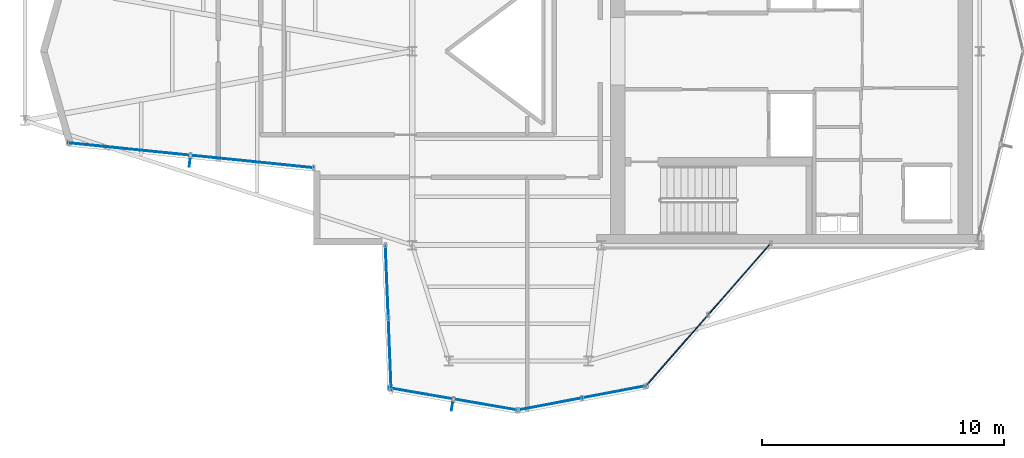
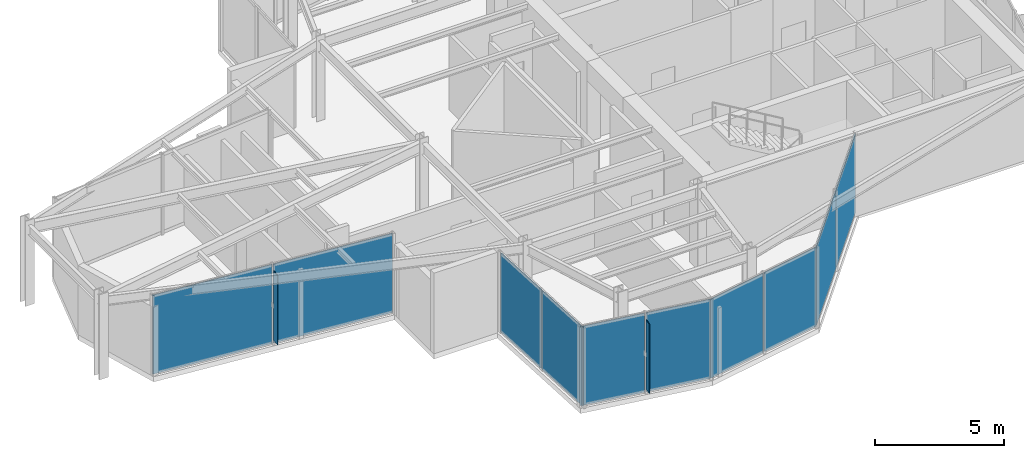
# One storey, part 9 of 14: 12 plates, 5 elements without a shape of their own.
"""IFC4 building model written with IfcOpenShell, lengths in metres."""

from ifc_helpers import new_model, si_unit, direction, frame, origin, origin_2d, place, context, subcontext, project, spatial, rectangle, extrude, material, layer, layer_set, type_object, element, aggregate, save


model = new_model("IFC4")

# Units and contexts
model_context = context("Model", 3, precision=1e-05, world=origin(), true_north=direction((0.0, 1.0)))
body_context = subcontext(model_context, "Body", "Model", "MODEL_VIEW")
ifc_project = project(units=[si_unit("LENGTHUNIT", "METRE"), si_unit("AREAUNIT", "SQUARE_METRE"), si_unit("VOLUMEUNIT", "CUBIC_METRE"), si_unit("PLANEANGLEUNIT", "RADIAN"), si_unit("MASSUNIT", "GRAM", prefix="KILO")], contexts=[model_context])

# Site, building, storey
site_placement = place(None, origin())
site = spatial("IfcSite", under=ifc_project, at=site_placement, CompositionType="ELEMENT")
building_placement = place(site_placement, origin())
building = spatial("IfcBuilding", under=site, at=building_placement, Name="Veymaron Broadcast Tower", CompositionType="ELEMENT")
storey_placement = place(building_placement, frame((0.0, 0.0, 270.89990234375)))
storey = spatial("IfcBuildingStorey", under=building, at=storey_placement, Name="L63", CompositionType="ELEMENT", Elevation=270.89990234375)

# Curtain wall, plates
ifc_material_1 = material(Name="Anodised aluminium AA 6063-T6 and laminated low-E dark glass", Category="aluminium")
ifc_layer_1 = layer(ifc_material_1, 0.179931640625)
ifc_layer_set_1 = layer_set([ifc_layer_1], Name="Anodised aluminium AA 6063-T6 and laminated low-E dark glass")
curtain_wall_type = type_object("IfcCurtainWallType", Name="CW-SYS-06", PredefinedType="NOTDEFINED", material=ifc_layer_set_1)
curtain_wall_1_placement = place(storey_placement, origin())
curtain_wall_1 = element("IfcCurtainWall", 1, at=curtain_wall_1_placement, inside=storey, type_object=curtain_wall_type, Name="L63 dark-glass curtain wall CW-L63-E14-1", PredefinedType="NOTDEFINED")
ifc_material_2 = material(Name="Insulated dark-anodised aluminium spandrel panel 40 mm", Category="aluminium")
ifc_layer_2 = layer(ifc_material_2, 0.0400390625)
ifc_layer_set_2 = layer_set([ifc_layer_2], Name="Insulated dark-anodised aluminium spandrel panel 40 mm")
plate_type_1 = type_object("IfcPlateType", Name="CW-PNL-03", PredefinedType="CURTAIN_PANEL", material=ifc_layer_set_2)
plate_1_placement = place(storey_placement, frame((19.5146484375, 19.96533203125, 0.0400390625), z_axis=(0.0, 0.0, 1.0), x_axis=(0.994870120783, -0.101160480293, 0.0)))
plate_1 = element("IfcPlate", 2, at=plate_1_placement, type_object=plate_type_1, Name="CW-L63-E14-1 unitised curtain panel 0", PredefinedType="CURTAIN_PANEL", context=body_context, shape_type="SweptSolid", body=[
    extrude(rectangle(XDim=5.047119140625, YDim=0.0400390625, at=origin_2d()), origin(), (0.0, 0.0, 1.0), 3.72998046875),
])
plate_2_placement = place(storey_placement, frame((24.595458984375, 19.44873046875, 0.0400390625), z_axis=(0.0, 0.0, 1.0), x_axis=(0.994870120783, -0.101160480293, 0.0)))
plate_2 = element("IfcPlate", 3, at=plate_2_placement, type_object=plate_type_1, Name="CW-L63-E14-1 unitised curtain panel 1", PredefinedType="CURTAIN_PANEL", context=body_context, shape_type="SweptSolid", body=[
    extrude(rectangle(XDim=5.047119140625, YDim=0.0400390625, at=origin_2d()), origin(), (0.0, 0.0, 1.0), 3.72998046875),
])
aggregate(curtain_wall_1, [plate_1, plate_2])

curtain_wall_2_placement = place(storey_placement, origin())
curtain_wall_2 = element("IfcCurtainWall", 4, at=curtain_wall_2_placement, inside=storey, type_object=curtain_wall_type, Name="L63 dark-glass curtain wall CW-L63-E17-1", PredefinedType="NOTDEFINED")
plate_3_placement = place(storey_placement, frame((30.15380859375, 14.500244140625, 0.0400390625), z_axis=(0.0, 0.0, 1.0), x_axis=(0.04004459622, -0.999197893469, 0.0)))
plate_3 = element("IfcPlate", 5, at=plate_3_placement, type_object=plate_type_1, Name="CW-L63-E17-1 unitised curtain panel 0", PredefinedType="CURTAIN_PANEL", context=body_context, shape_type="SweptSolid", body=[
    extrude(rectangle(XDim=2.952880859375, YDim=0.0400390625, at=origin_2d()), origin(), (0.0, 0.0, 1.0), 3.72998046875),
])
plate_4_placement = place(storey_placement, frame((30.274658203125, 11.48974609375, 0.0400390625), z_axis=(0.0, 0.0, 1.0), x_axis=(0.04004459622, -0.999197893469, 0.0)))
plate_4 = element("IfcPlate", 6, at=plate_4_placement, type_object=plate_type_1, Name="CW-L63-E17-1 unitised curtain panel 1", PredefinedType="CURTAIN_PANEL", context=body_context, shape_type="SweptSolid", body=[
    extrude(rectangle(XDim=2.952880859375, YDim=0.0400390625, at=origin_2d()), origin(), (0.0, 0.0, 1.0), 3.72998046875),
])
aggregate(curtain_wall_2, [plate_3, plate_4])

curtain_wall_3_placement = place(storey_placement, origin())
curtain_wall_3 = element("IfcCurtainWall", 7, at=curtain_wall_3_placement, inside=storey, type_object=curtain_wall_type, Name="L63 dark-glass curtain wall CW-L63-E18-1", PredefinedType="NOTDEFINED")
plate_5_placement = place(storey_placement, frame((31.558349609375, 9.8857421875, 0.0400390625), z_axis=(0.0, 0.0, 1.0), x_axis=(0.98545539152, -0.169934314736, 0.0)))
plate_5 = element("IfcPlate", 8, at=plate_5_placement, type_object=plate_type_1, Name="CW-L63-E18-1 unitised curtain panel 0", PredefinedType="CURTAIN_PANEL", context=body_context, shape_type="SweptSolid", body=[
    extrude(rectangle(XDim=2.65869140625, YDim=0.0400390625, at=origin_2d()), origin(), (0.0, 0.0, 1.0), 3.72998046875),
])
plate_6_placement = place(storey_placement, frame((34.237548828125, 9.423828125, 0.0400390625), z_axis=(0.0, 0.0, 1.0), x_axis=(0.98545539152, -0.169934314736, 0.0)))
plate_6 = element("IfcPlate", 9, at=plate_6_placement, type_object=plate_type_1, Name="CW-L63-E18-1 unitised curtain panel 1", PredefinedType="CURTAIN_PANEL", context=body_context, shape_type="SweptSolid", body=[
    extrude(rectangle(XDim=2.65869140625, YDim=0.0400390625, at=origin_2d()), origin(), (0.0, 0.0, 1.0), 3.72998046875),
])
aggregate(curtain_wall_3, [plate_5, plate_6])

curtain_wall_4_placement = place(storey_placement, origin())
curtain_wall_4 = element("IfcCurtainWall", 10, at=curtain_wall_4_placement, inside=storey, type_object=curtain_wall_type, Name="L63 dark-glass curtain wall CW-L63-E19-1", PredefinedType="NOTDEFINED")
plate_7_placement = place(storey_placement, frame((36.86669921875, 9.4462890625, 0.0400390625), z_axis=(0.0, 0.0, 1.0), x_axis=(0.982479684732, 0.186369710761, 0.0)))
plate_7 = element("IfcPlate", 11, at=plate_7_placement, type_object=plate_type_1, Name="CW-L63-E19-1 unitised curtain panel 0", PredefinedType="CURTAIN_PANEL", context=body_context, shape_type="SweptSolid", body=[
    extrude(rectangle(XDim=2.6669921875, YDim=0.0400390625, at=origin_2d()), origin(), (0.0, 0.0, 1.0), 3.72998046875),
])
plate_8_placement = place(storey_placement, frame((39.545654296875, 9.95458984375, 0.0400390625), z_axis=(0.0, 0.0, 1.0), x_axis=(0.982479684732, 0.186369710761, 0.0)))
plate_8 = element("IfcPlate", 12, at=plate_8_placement, type_object=plate_type_1, Name="CW-L63-E19-1 unitised curtain panel 1", PredefinedType="CURTAIN_PANEL", context=body_context, shape_type="SweptSolid", body=[
    extrude(rectangle(XDim=2.6669921875, YDim=0.0400390625, at=origin_2d()), origin(), (0.0, 0.0, 1.0), 3.72998046875),
])
aggregate(curtain_wall_4, [plate_7, plate_8])

curtain_wall_5_placement = place(storey_placement, origin())
curtain_wall_5 = element("IfcCurtainWall", 13, at=curtain_wall_5_placement, inside=storey, type_object=curtain_wall_type, Name="L63 dark-glass curtain wall CW-L63-E20-1", PredefinedType="NOTDEFINED")
plate_9_placement = place(storey_placement, frame((42.10302734375, 11.6455078125, 0.0400390625), z_axis=(0.0, 0.0, 1.0), x_axis=(0.658558128912, 0.752529860433, 0.0)))
plate_9 = element("IfcPlate", 14, at=plate_9_placement, type_object=plate_type_1, Name="CW-L63-E20-1 unitised curtain panel 0", PredefinedType="CURTAIN_PANEL", context=body_context, shape_type="SweptSolid", body=[
    extrude(rectangle(XDim=3.87939453125, YDim=0.0400390625, at=origin_2d()), origin(), (0.0, 0.0, 1.0), 3.72998046875),
])
plate_10_placement = place(storey_placement, frame((44.697509765625, 14.610107421875, 0.0400390625), z_axis=(0.0, 0.0, 1.0), x_axis=(0.658558128912, 0.752529860433, 0.0)))
plate_10 = element("IfcPlate", 15, at=plate_10_placement, type_object=plate_type_1, Name="CW-L63-E20-1 unitised curtain panel 1", PredefinedType="CURTAIN_PANEL", context=body_context, shape_type="SweptSolid", body=[
    extrude(rectangle(XDim=3.87939453125, YDim=0.0400390625, at=origin_2d()), origin(), (0.0, 0.0, 1.0), 3.72998046875),
])
aggregate(curtain_wall_5, [plate_9, plate_10])

# Plates
ifc_material_3 = material(Name="Dark-anodised aluminium AA 6061-T6", Category="aluminium")
ifc_layer_3 = layer(ifc_material_3, 0.030029296875)
ifc_layer_set_3 = layer_set([ifc_layer_3], Name="Dark-anodised aluminium AA 6061-T6")
plate_type_2 = type_object("IfcPlateType", Name="FIN-CHEV-02", PredefinedType="USERDEFINED", material=ifc_layer_set_3)
for number, where, z_axis, x_axis, name in (
    (16, (22.024169921875, 19.40380859375, 0.2666015625), (0.0, 0.0, 1.0), (-0.101160480293, -0.994870120783, 0.0), "CW-L63-E14-1 chevron fin 1"),
    (17, (32.84619140625, 9.354248046875, 0.2666015625), (0.0, 0.0, 1.0), (-0.169934314736, -0.98545539152, 0.0), "CW-L63-E18-1 chevron fin 1"),
):
    element("IfcPlate", number, at=place(storey_placement, frame(where, z_axis=z_axis, x_axis=x_axis)), inside=storey, type_object=plate_type_2, Name=name, ObjectType="FIN", PredefinedType="USERDEFINED", context=body_context, shape_type="SweptSolid", body=[
        extrude(rectangle(XDim=0.35009765625, YDim=0.034912109375, at=origin_2d()), origin(), (0.0, 0.0, 1.0), 3.276611328125),
    ])

save(model, "model.ifc")
